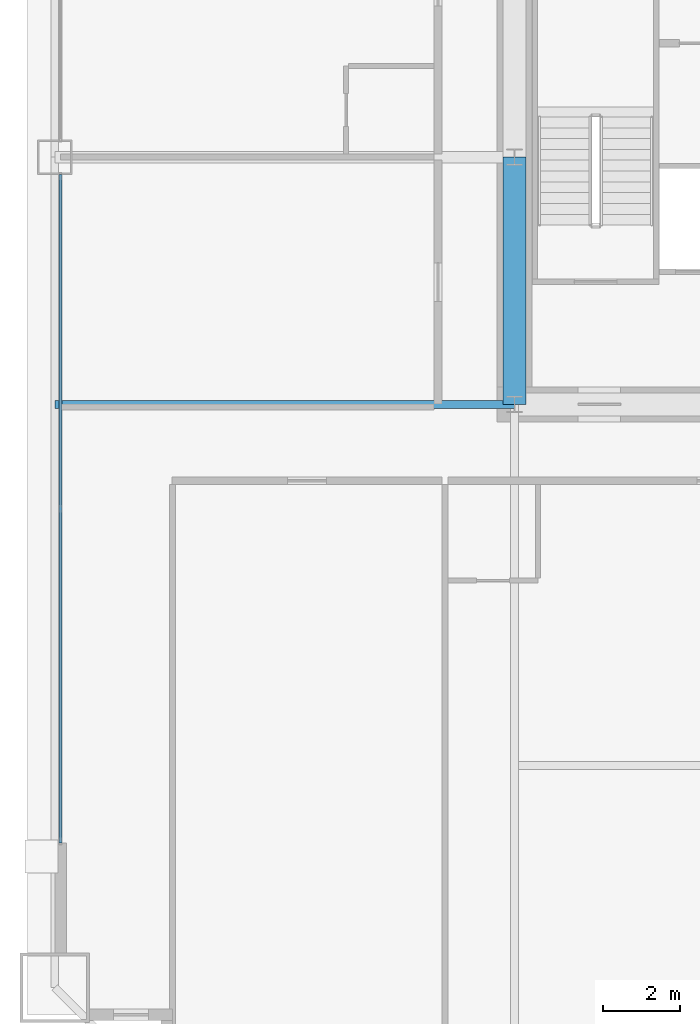
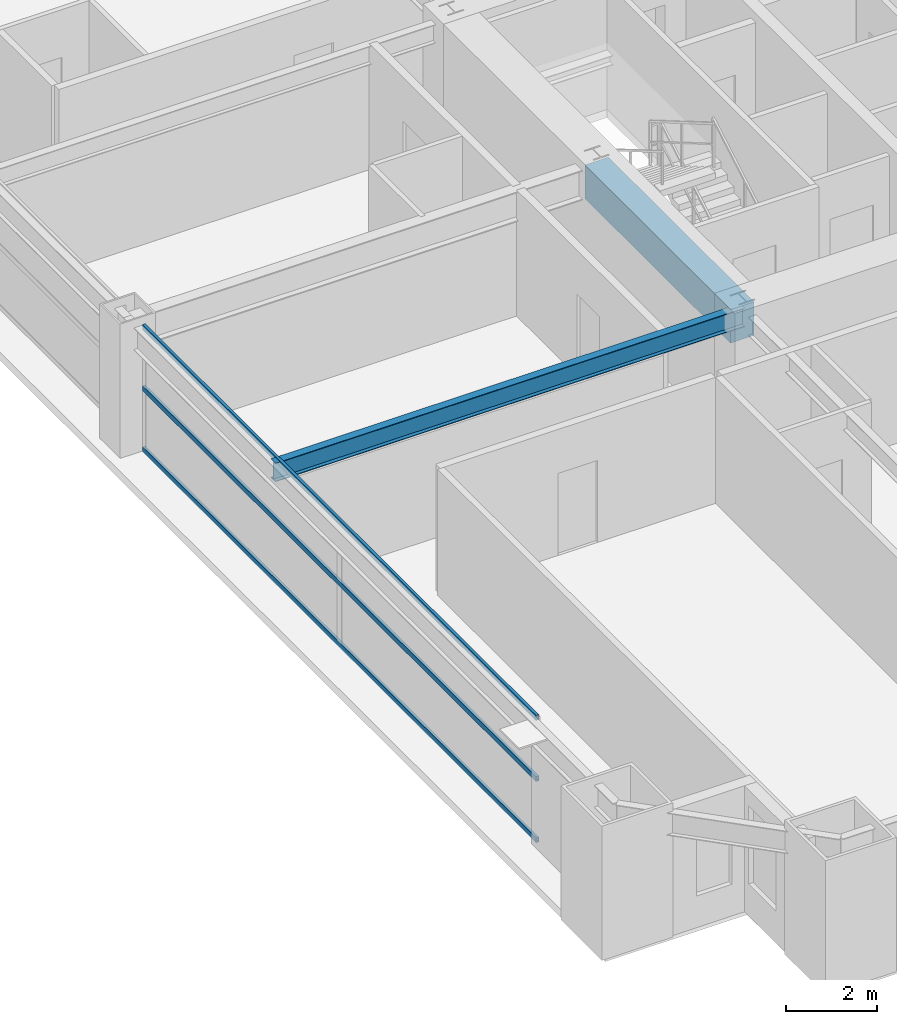
# One storey, part 12 of 43: 3 members, 2 beams, 1 element without a shape of its own.
"""IFC4 building model written with IfcOpenShell, lengths in metres."""

from ifc_helpers import new_model, si_unit, direction, frame, origin, origin_2d, place, context, subcontext, project, spatial, rectangle, hollow_rectangle, i_section, extrude, source, transform, mapped, material, layer, layer_set, material_profile, profile_set, type_object, element, aggregate, save


model = new_model("IFC4")

# Units and contexts
model_context = context("Model", 3, precision=1e-05, world=origin(), true_north=direction((0.0, 1.0)))
body_context = subcontext(model_context, "Body", "Model", "MODEL_VIEW")
ifc_project = project(units=[si_unit("LENGTHUNIT", "METRE"), si_unit("AREAUNIT", "SQUARE_METRE"), si_unit("VOLUMEUNIT", "CUBIC_METRE"), si_unit("PLANEANGLEUNIT", "RADIAN"), si_unit("MASSUNIT", "GRAM", prefix="KILO"), si_unit("THERMODYNAMICTEMPERATUREUNIT", "KELVIN"), si_unit("POWERUNIT", "WATT")], contexts=[model_context])

# Site, building, storey
site_placement = place(None, origin())
site = spatial("IfcSite", under=ifc_project, at=site_placement, CompositionType="ELEMENT")
building_placement = place(site_placement, origin())
building = spatial("IfcBuilding", under=site, at=building_placement, Name="Yuzanri Waterfront Tower", CompositionType="ELEMENT")
storey_placement = place(building_placement, frame((0.0, 0.0, 78.39990234375)))
storey = spatial("IfcBuildingStorey", under=building, at=storey_placement, Name="L20", CompositionType="ELEMENT", Elevation=78.39990234375)

# Beams
ifc_material_1 = material(Name="Concrete C60", Category="concrete")
ifc_material_profile_1 = material_profile(ifc_material_1, rectangle(XDim=0.60009765625, YDim=0.89990234375, at=origin_2d()), Name="RC 600x900")
ifc_profile_set_1 = profile_set([ifc_material_profile_1], Name="Concrete C60")
beam_type_1 = type_object("IfcBeamType", Name="Core Coupling Lintel Concrete C60 600x900", PredefinedType="LINTEL", material=ifc_profile_set_1)
shared_shape_1 = source(origin(), body_context, "Body", "SweptSolid", [
    extrude(rectangle(XDim=0.60009765625, YDim=0.89990234375, at=origin_2d()), origin(), (0.0, 0.0, 1.0), 6.400146484375),
])
beam_1_placement = place(storey_placement, frame((23.800048828125, 19.39990234375, 2.93017578125), z_axis=(0.0, 1.0, 0.0), x_axis=(-1.0, 0.0, 0.0)))
element("IfcBeam", 1, at=beam_1_placement, inside=storey, type_object=beam_type_1, Name="L20 Core Tie Beam CW1", PredefinedType="LINTEL", context=body_context, shape_type="MappedRepresentation", body=[
    mapped(shared_shape_1, transform((0.0, 0.0, 0.0), scale=1.0)),
])
ifc_material_2 = material(Name="Steel Q355B", Category="steel")
ifc_material_profile_2 = material_profile(ifc_material_2, i_section(OverallWidth=0.199951171875, OverallDepth=0.5, WebThickness=0.010009765625, FlangeThickness=0.01611328125, at=origin_2d()), Name="HN 500x200x10x16")
ifc_profile_set_2 = profile_set([ifc_material_profile_2], Name="Steel Q355B")
beam_type_2 = type_object("IfcBeamType", Name="Secondary Floor Beam Q355B HN 500x200", PredefinedType="BEAM", material=ifc_profile_set_2)
shared_shape_2 = source(origin(), body_context, "Body", "SweptSolid", [
    extrude(i_section(OverallWidth=0.199951171875, OverallDepth=0.5, WebThickness=0.010009765625, FlangeThickness=0.01611328125, at=origin_2d()), origin(), (0.0, 0.0, 1.0), 11.900146484375),
])
beam_2_placement = place(storey_placement, frame((23.800048828125, 19.39990234375, 3.130126953125), z_axis=(-1.0, 0.0, 0.0), x_axis=(0.0, -1.0, 0.0)))
element("IfcBeam", 2, at=beam_2_placement, inside=storey, type_object=beam_type_2, Name="L20 West-South Core Line Beam", PredefinedType="BEAM", context=body_context, shape_type="MappedRepresentation", body=[
    mapped(shared_shape_2, transform((0.0, 0.0, 0.0), scale=1.0)),
])

# Curtain wall, members
ifc_material_3 = material(Name="Anodized Architectural Bronze", Category="metal")
ifc_layer = layer(ifc_material_3, 0.159912109375)
ifc_layer_set = layer_set([ifc_layer], Name="Anodized Architectural Bronze")
curtain_wall_type = type_object("IfcCurtainWallType", Name="Anodized Bronze Hotel Lower-Tier Recessed Unitized Curtain Wall 8100", PredefinedType="NOTDEFINED", material=ifc_layer_set)
curtain_wall_placement = place(storey_placement, origin())
curtain_wall = element("IfcCurtainWall", 3, at=curtain_wall_placement, inside=storey, type_object=curtain_wall_type, Name="L20 Curtain Wall CW-L20-WL", PredefinedType="NOTDEFINED")
ifc_material_4 = material(Name="Anodized Architectural Bronze", Category="metal")
ifc_material_profile_3 = material_profile(ifc_material_4, hollow_rectangle(XDim=0.070068359375, YDim=0.135009765625, WallThickness=0.00341796875, at=origin_2d()), Name="CWT 70x135")
ifc_profile_set_3 = profile_set([ifc_material_profile_3], Name="Anodized Architectural Bronze")
member_type = type_object("IfcMemberType", Name="Anodized Bronze Standard Curtain-Wall Transom 70x135", PredefinedType="USERDEFINED", material=ifc_profile_set_3)
shared_shape_3 = source(origin(), body_context, "Body", "SweptSolid", [
    extrude(hollow_rectangle(XDim=0.070068359375, YDim=0.135009765625, WallThickness=0.00341796875, at=origin_2d()), origin(), (0.0, 0.0, 1.0), 17.300048828125),
])
member_1_placement = place(storey_placement, frame((12.050048828125, 8.050048828125, 0.050048828125), z_axis=(0.0, 1.0, 0.0), x_axis=(-1.0, 0.0, 0.0)))
member_1 = element("IfcMember", 4, at=member_1_placement, type_object=member_type, Name="CW-L20-WL Transom 1", ObjectType="TRANSOM", PredefinedType="USERDEFINED", context=body_context, shape_type="MappedRepresentation", body=[
    mapped(shared_shape_3, transform((0.0, 0.0, 0.0), scale=1.0)),
])
member_2_placement = place(storey_placement, frame((12.050048828125, 8.050048828125, 1.690185546875), z_axis=(0.0, 1.0, 0.0), x_axis=(-1.0, 0.0, 0.0)))
member_2 = element("IfcMember", 5, at=member_2_placement, type_object=member_type, Name="CW-L20-WL Transom 2", ObjectType="TRANSOM", PredefinedType="USERDEFINED", context=body_context, shape_type="MappedRepresentation", body=[
    mapped(shared_shape_3, transform((0.0, 0.0, 0.0), scale=1.0)),
])
member_3_placement = place(storey_placement, frame((12.050048828125, 8.050048828125, 3.330078125), z_axis=(0.0, 1.0, 0.0), x_axis=(-1.0, 0.0, 0.0)))
member_3 = element("IfcMember", 6, at=member_3_placement, type_object=member_type, Name="CW-L20-WL Transom 3", ObjectType="TRANSOM", PredefinedType="USERDEFINED", context=body_context, shape_type="MappedRepresentation", body=[
    mapped(shared_shape_3, transform((0.0, 0.0, 0.0), scale=1.0)),
])
aggregate(curtain_wall, [member_1, member_2, member_3])

save(model, "model.ifc")
